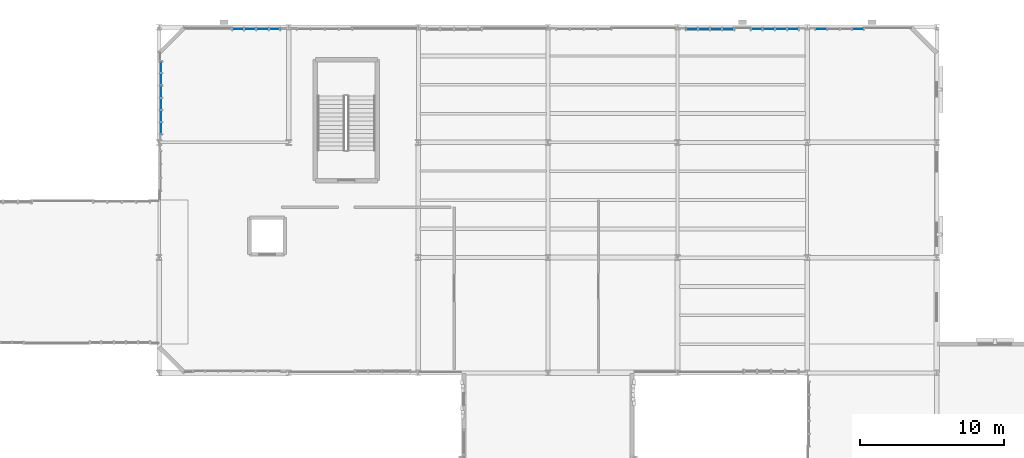
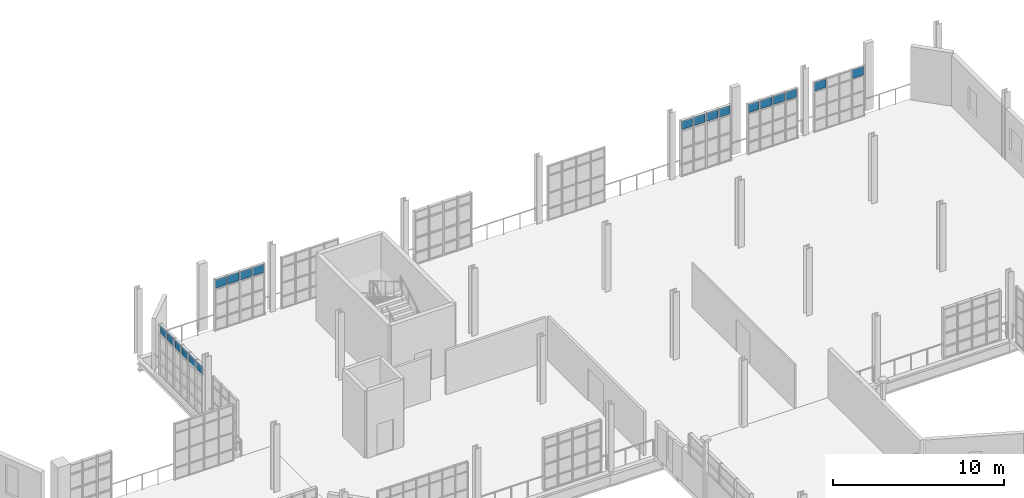
# One storey, part 96 of 122: 20 plates, 5 elements without a shape of their own.
"""IFC4 building model written with IfcOpenShell, lengths in metres."""

import ifcopenshell
import ifcopenshell.guid

model = None  # the IFC model being written
_history = None  # IfcOwnerHistory: only IFC2X3 demands one
_inside = {}  # id of a spatial element -> (the spatial element, [elements in it])
_under = {}  # id of a project, library or spatial element -> (it, [spatial elements below it])
_declared = {}  # id of a project -> (the project, [libraries it declares])
_typed = {}  # id of a type object -> (the type object, [elements of that type])
_made_of = {}  # id of a material, layer set ... -> (it, [elements and type objects made of it])


def new_model(schema):
    """Start an empty IFC model of exactly this schema.

    Asked for "IFC4X3", IfcOpenShell would pick the latest addendum, in which some entities
    have other attributes; the version numbers below select the first issue.
    IFC2X3 requires an IfcOwnerHistory on every rooted entity: one is made here for all.
    """
    global model, _history
    if schema == "IFC4X3":
        model = ifcopenshell.file(schema_version=(4, 3, 0, 0))
    else:
        model = ifcopenshell.file(schema=schema)
    _inside.clear()
    _under.clear()
    _declared.clear()
    _typed.clear()
    _made_of.clear()
    _history = None
    if model.schema == "IFC2X3":
        org = make("IfcOrganization", Name="unknown")
        user = make(
            "IfcPersonAndOrganization",
            ThePerson=make("IfcPerson", FamilyName="unknown"),
            TheOrganization=org,
        )
        app = make(
            "IfcApplication",
            ApplicationDeveloper=org,
            Version="unknown",
            ApplicationFullName="unknown",
            ApplicationIdentifier="unknown",
        )
        _history = make(
            "IfcOwnerHistory",
            OwningUser=user,
            OwningApplication=app,
            ChangeAction="ADDED",
            CreationDate=0,
        )
    return model


def make(cls, **values):
    """One entity of the class cls with the attributes given. An attribute that is None is left unset."""
    return model.create_entity(
        cls, **{name: value for name, value in values.items() if value is not None}
    )


def rooted(cls, **values):
    """An entity with a GlobalId (a new one), such as an element, a storey or a relation."""
    return make(cls, GlobalId=ifcopenshell.guid.new(), OwnerHistory=_history, **values)


def si_unit(unit_type, name, prefix=None):
    """IfcSIUnit, for example si_unit("LENGTHUNIT", "METRE", prefix="MILLI")."""
    return make("IfcSIUnit", UnitType=unit_type, Prefix=prefix, Name=name)


def assignment(units):
    """IfcUnitAssignment: the units of a project."""
    return None if units is None else make("IfcUnitAssignment", Units=units)


def point(xyz):
    """IfcCartesianPoint."""
    return None if xyz is None else make("IfcCartesianPoint", Coordinates=xyz)


def direction(xyz):
    """IfcDirection."""
    return None if xyz is None else make("IfcDirection", DirectionRatios=xyz)


def frame(location, z_axis=None, x_axis=None):
    """IfcAxis2Placement3D, a coordinate frame: its origin and axes. An axis left out is left unset."""
    return make(
        "IfcAxis2Placement3D",
        Location=point(location),
        Axis=direction(z_axis),
        RefDirection=direction(x_axis),
    )


def frame_2d(location, x_axis=None):
    """IfcAxis2Placement2D, a coordinate frame in the plane: its origin and x axis."""
    return make(
        "IfcAxis2Placement2D", Location=point(location), RefDirection=direction(x_axis)
    )


def origin():
    """The frame at (0, 0, 0) with its axes left unset."""
    return frame((0.0, 0.0, 0.0))


def origin_2d():
    """The frame at (0, 0) in the plane with its x axis left unset."""
    return frame_2d((0.0, 0.0))


def place(relative_to, where):
    """IfcLocalPlacement: puts the frame where relative to a parent placement (None: the world)."""
    return make(
        "IfcLocalPlacement", PlacementRelTo=relative_to, RelativePlacement=where
    )


def context(
    kind, dimensions, precision=None, world=None, true_north=None, identifier=None
):
    """IfcGeometricRepresentationContext, for example the 3D "Model" context."""
    return make(
        "IfcGeometricRepresentationContext",
        ContextIdentifier=identifier,
        ContextType=kind,
        CoordinateSpaceDimension=dimensions,
        Precision=precision,
        WorldCoordinateSystem=world,
        TrueNorth=true_north,
    )


def subcontext(parent, identifier, kind, view, scale=None):
    """IfcGeometricRepresentationSubContext, for example "Body" below "Model"."""
    return make(
        "IfcGeometricRepresentationSubContext",
        ContextIdentifier=identifier,
        ContextType=kind,
        ParentContext=parent,
        TargetScale=scale,
        TargetView=view,
    )


def project(units=None, contexts=None):
    """IfcProject with its units and contexts."""
    return rooted(
        "IfcProject",
        Name="project",
        RepresentationContexts=contexts,
        UnitsInContext=assignment(units),
    )


def spatial(cls, under=None, at=None, **own):
    """A site, building, storey or space (cls), placed at a placement, below another one or the project."""
    s = rooted(cls, ObjectPlacement=at, **own)
    if under is not None:
        _under.setdefault(under.id(), (under, []))[1].append(s)
    return s


def profile(cls, at=None, kind="AREA", **sizes):
    """A parametric profile (cls). Its sizes go by their IFC names, for example OverallWidth=200.0."""
    return make(cls, ProfileType=kind, Position=at, **sizes)


def rectangle(**sizes):
    """IfcRectangleProfileDef."""
    return profile("IfcRectangleProfileDef", **sizes)


def extrude(swept, where, along, depth):
    """IfcExtrudedAreaSolid: the profile swept, set in the frame where, extruded along a direction by depth."""
    return make(
        "IfcExtrudedAreaSolid",
        SweptArea=swept,
        Position=where,
        ExtrudedDirection=direction(along),
        Depth=depth,
    )


def shape(context_of_items, identifier, shape_type, items):
    """IfcShapeRepresentation: the items that make up one representation, for example the "Body"."""
    return make(
        "IfcShapeRepresentation",
        ContextOfItems=context_of_items,
        RepresentationIdentifier=identifier,
        RepresentationType=shape_type,
        Items=items,
    )


def material(Name=None, Category=None):
    """IfcMaterial."""
    return make("IfcMaterial", Name=Name, Category=Category)


def layer(
    of_material, thickness, ventilated=None, Name=None, Category=None, Priority=None
):
    """IfcMaterialLayer: one layer of a wall or slab, of a material (None: an air gap)."""
    return make(
        "IfcMaterialLayer",
        Material=of_material,
        LayerThickness=thickness,
        IsVentilated=ventilated,
        Name=Name,
        Category=Category,
        Priority=Priority,
    )


def layer_set(layers, Name=None):
    """IfcMaterialLayerSet."""
    return make("IfcMaterialLayerSet", MaterialLayers=layers, LayerSetName=Name)


def made_of(thing, what):
    """Note that an element or type object is made of a material, layer set ...; save() writes the relation."""
    if what is not None:
        _made_of.setdefault(what.id(), (what, []))[1].append(thing)
    return thing


def type_object(cls, material=None, **own):
    """A type object (cls), such as IfcWallType, which elements share."""
    return made_of(rooted(cls, **own), material)


def element(
    cls,
    number,
    at=None,
    inside=None,
    cuts=None,
    type_object=None,
    material=None,
    context=None,
    identifier="Body",
    shape_type=None,
    held_by="IfcProductDefinitionShape",
    body=None,
    shapes=None,
    **own,
):
    """One element of the class cls, such as IfcWall. Its Tag is "e" and its number.

    at: its placement. inside: the storey or other place that contains it. cuts: it is an
    opening in that element (IfcRelVoidsElement). A single representation is given by context,
    identifier, shape_type and body (its items); several are given by shapes. held_by: the class
    of the entity that holds the representations. save() writes the other relations.
    """
    e = rooted(cls, Tag="e%d" % number, ObjectPlacement=at, **own)
    if body is not None:
        shapes = [shape(context, identifier, shape_type, body)]
    if shapes is not None:
        e.Representation = make(held_by, Representations=shapes)
    if inside is not None:
        _inside.setdefault(inside.id(), (inside, []))[1].append(e)
    if cuts is not None:
        rooted(
            "IfcRelVoidsElement", RelatingBuildingElement=cuts, RelatedOpeningElement=e
        )
    if type_object is not None:
        _typed.setdefault(type_object.id(), (type_object, []))[1].append(e)
    return made_of(e, material)


def aggregate(whole, parts):
    """IfcRelAggregates: a whole, such as a stair, and the parts it consists of."""
    return rooted("IfcRelAggregates", RelatingObject=whole, RelatedObjects=parts)


def save(model, path):
    """Write the relations noted so far, then the file.

    IfcRelAggregates (storeys below a building ...), IfcRelContainedInSpatialStructure (elements
    in a storey), IfcRelDefinesByType, IfcRelAssociatesMaterial and IfcRelDeclares: one each for
    every whole, place, type object, material and project.
    """
    for whole, parts in _under.values():
        aggregate(whole, parts)
    for where, things in _inside.values():
        rooted(
            "IfcRelContainedInSpatialStructure",
            RelatedElements=things,
            RelatingStructure=where,
        )
    for kind, things in _typed.values():
        rooted("IfcRelDefinesByType", RelatedObjects=things, RelatingType=kind)
    for what, things in _made_of.values():
        rooted("IfcRelAssociatesMaterial", RelatedObjects=things, RelatingMaterial=what)
    for by, libraries in _declared.values():
        rooted("IfcRelDeclares", RelatingContext=by, RelatedDefinitions=libraries)
    model.write(path)


model = new_model("IFC4")

# Units and contexts
model_context = context("Model", 3, precision=1e-05, world=origin(), true_north=direction((0.0, 1.0)))
body_context = subcontext(model_context, "Body", "Model", "MODEL_VIEW")
ifc_project = project(units=[si_unit("LENGTHUNIT", "METRE"), si_unit("AREAUNIT", "SQUARE_METRE"), si_unit("VOLUMEUNIT", "CUBIC_METRE"), si_unit("PLANEANGLEUNIT", "RADIAN"), si_unit("MASSUNIT", "GRAM", prefix="KILO"), si_unit("THERMODYNAMICTEMPERATUREUNIT", "KELVIN"), si_unit("POWERUNIT", "WATT")], contexts=[model_context])

# Site, building, storey
site_placement = place(None, origin())
site = spatial("IfcSite", under=ifc_project, at=site_placement, CompositionType="ELEMENT")
building_placement = place(site_placement, origin())
building = spatial("IfcBuilding", under=site, at=building_placement, Name="Zelmaris Science Centre", CompositionType="ELEMENT")
storey_placement = place(building_placement, frame((0.0, 0.0, 10.800048828125)))
storey = spatial("IfcBuildingStorey", under=building, at=storey_placement, Name="L02", CompositionType="ELEMENT", Elevation=10.800048828125)

# Curtain wall, plates
ifc_material_1 = material(Name="Anodised architectural aluminium 6063-T6", Category="aluminium")
ifc_layer_1 = layer(ifc_material_1, 0.18994140625, Name="Anodised architectural aluminium 6063-T6")
ifc_layer_set_1 = layer_set([ifc_layer_1], Name="Anodised architectural aluminium 6063-T6")
curtain_wall_type_1 = type_object("IfcCurtainWallType", Name="Curtain Wall CW-01", PredefinedType="USERDEFINED", material=ifc_layer_set_1)
curtain_wall_1_placement = place(storey_placement, origin())
curtain_wall_1 = element("IfcCurtainWall", 1, at=curtain_wall_1_placement, inside=storey, type_object=curtain_wall_type_1, Name="L02 Unitised curtain wall 205", ObjectType="GLAZED CURTAIN WALL", PredefinedType="USERDEFINED")
ifc_material_2 = material(Name="Laminated hurricane-rated low-E insulated glazing", Category="glass")
ifc_layer_2 = layer(ifc_material_2, 0.031982421875, Name="Laminated hurricane-rated low-E insulated glazing")
ifc_layer_set_2 = layer_set([ifc_layer_2], Name="Laminated hurricane-rated low-E insulated glazing")
plate_type_1 = type_object("IfcPlateType", Name="Curtain Glazing Panel CWP-1 32mm", PredefinedType="CURTAIN_PANEL", material=ifc_layer_set_2)
plate_1_placement = place(storey_placement, frame((54.1201171875, 80.984619140625, 2.9267578125), z_axis=(0.0, 0.0, 1.0), x_axis=(1.9531247e-05, 0.999999999809, 0.0)))
plate_1 = element("IfcPlate", 2, at=plate_1_placement, type_object=plate_type_1, Name="CW-01 panel 1.4", PredefinedType="CURTAIN_PANEL", context=body_context, shape_type="SweptSolid", body=[
    extrude(rectangle(XDim=0.745361328125, YDim=0.031982421875, at=origin_2d()), origin(), (0.0, 0.0, 1.0), 0.592041015625),
])
plate_2_placement = place(storey_placement, frame((54.1201171875, 81.820068359375, 2.9267578125), z_axis=(0.0, 0.0, 1.0), x_axis=(1.9531247e-05, 0.999999999809, 0.0)))
plate_2 = element("IfcPlate", 3, at=plate_2_placement, type_object=plate_type_1, Name="CW-01 panel 2.4", PredefinedType="CURTAIN_PANEL", context=body_context, shape_type="SweptSolid", body=[
    extrude(rectangle(XDim=0.78125, YDim=0.031982421875, at=origin_2d()), origin(), (0.0, 0.0, 1.0), 0.592041015625),
])
plate_3_placement = place(storey_placement, frame((54.1201171875, 82.67333984375, 2.9267578125), z_axis=(0.0, 0.0, 1.0), x_axis=(1.9531247e-05, 0.999999999809, 0.0)))
plate_3 = element("IfcPlate", 4, at=plate_3_placement, type_object=plate_type_1, Name="CW-01 panel 3.4", PredefinedType="CURTAIN_PANEL", context=body_context, shape_type="SweptSolid", body=[
    extrude(rectangle(XDim=0.78125, YDim=0.031982421875, at=origin_2d()), origin(), (0.0, 0.0, 1.0), 0.592041015625),
])
plate_4_placement = place(storey_placement, frame((54.1201171875, 83.526611328125, 2.9267578125), z_axis=(0.0, 0.0, 1.0), x_axis=(1.9531247e-05, 0.999999999809, 0.0)))
plate_4 = element("IfcPlate", 5, at=plate_4_placement, type_object=plate_type_1, Name="CW-01 panel 4.4", PredefinedType="CURTAIN_PANEL", context=body_context, shape_type="SweptSolid", body=[
    extrude(rectangle(XDim=0.78125, YDim=0.031982421875, at=origin_2d()), origin(), (0.0, 0.0, 1.0), 0.592041015625),
])
plate_5_placement = place(storey_placement, frame((54.1201171875, 84.3798828125, 2.9267578125), z_axis=(0.0, 0.0, 1.0), x_axis=(1.9531247e-05, 0.999999999809, 0.0)))
plate_5 = element("IfcPlate", 6, at=plate_5_placement, type_object=plate_type_1, Name="CW-01 panel 5.4", PredefinedType="CURTAIN_PANEL", context=body_context, shape_type="SweptSolid", body=[
    extrude(rectangle(XDim=0.78125, YDim=0.031982421875, at=origin_2d()), origin(), (0.0, 0.0, 1.0), 0.592041015625),
])
plate_6_placement = place(storey_placement, frame((54.1201171875, 85.21533203125, 2.9267578125), z_axis=(0.0, 0.0, 1.0), x_axis=(1.9531247e-05, 0.999999999809, 0.0)))
plate_6 = element("IfcPlate", 7, at=plate_6_placement, type_object=plate_type_1, Name="CW-01 panel 6.4", PredefinedType="CURTAIN_PANEL", context=body_context, shape_type="SweptSolid", body=[
    extrude(rectangle(XDim=0.745361328125, YDim=0.031982421875, at=origin_2d()), origin(), (0.0, 0.0, 1.0), 0.592041015625),
])
aggregate(curtain_wall_1, [plate_1, plate_2, plate_3, plate_4, plate_5, plate_6])

curtain_wall_2_placement = place(storey_placement, origin())
curtain_wall_2 = element("IfcCurtainWall", 8, at=curtain_wall_2_placement, inside=storey, type_object=curtain_wall_type_1, Name="L02 Unitised curtain wall 213", ObjectType="GLAZED CURTAIN WALL", PredefinedType="USERDEFINED")
plate_7_placement = place(storey_placement, frame((90.985595703125, 87.8798828125, 3.302734375), z_axis=(0.0, 0.0, 1.0), x_axis=(1.0, 0.0, 0.0)))
plate_7 = element("IfcPlate", 9, at=plate_7_placement, type_object=plate_type_1, Name="CW-01 panel 1.4", PredefinedType="CURTAIN_PANEL", context=body_context, shape_type="SweptSolid", body=[
    extrude(rectangle(XDim=0.7470703125, YDim=0.031982421875, at=origin_2d()), origin(), (0.0, 0.0, 1.0), 0.592041015625),
])
plate_8_placement = place(storey_placement, frame((91.822509765625, 87.8798828125, 3.302734375), z_axis=(0.0, 0.0, 1.0), x_axis=(1.0, 0.0, 0.0)))
plate_8 = element("IfcPlate", 10, at=plate_8_placement, type_object=plate_type_1, Name="CW-01 panel 2.4", PredefinedType="CURTAIN_PANEL", context=body_context, shape_type="SweptSolid", body=[
    extrude(rectangle(XDim=0.782958984375, YDim=0.031982421875, at=origin_2d()), origin(), (0.0, 0.0, 1.0), 0.592041015625),
])
plate_9_placement = place(storey_placement, frame((92.677490234375, 87.8798828125, 3.302734375), z_axis=(0.0, 0.0, 1.0), x_axis=(1.0, 0.0, 0.0)))
plate_9 = element("IfcPlate", 11, at=plate_9_placement, type_object=plate_type_1, Name="CW-01 panel 3.4", PredefinedType="CURTAIN_PANEL", context=body_context, shape_type="SweptSolid", body=[
    extrude(rectangle(XDim=0.782958984375, YDim=0.031982421875, at=origin_2d()), origin(), (0.0, 0.0, 1.0), 0.592041015625),
])
plate_10_placement = place(storey_placement, frame((93.514404296875, 87.8798828125, 3.302734375), z_axis=(0.0, 0.0, 1.0), x_axis=(1.0, 0.0, 0.0)))
plate_10 = element("IfcPlate", 12, at=plate_10_placement, type_object=plate_type_1, Name="CW-01 panel 4.4", PredefinedType="CURTAIN_PANEL", context=body_context, shape_type="SweptSolid", body=[
    extrude(rectangle(XDim=0.7470703125, YDim=0.031982421875, at=origin_2d()), origin(), (0.0, 0.0, 1.0), 0.592041015625),
])
aggregate(curtain_wall_2, [plate_7, plate_8, plate_9, plate_10])

ifc_layer_3 = layer(ifc_material_1, 0.199951171875, Name="Anodised architectural aluminium 6063-T6")
ifc_layer_set_3 = layer_set([ifc_layer_3], Name="Anodised architectural aluminium 6063-T6")
curtain_wall_type_2 = type_object("IfcCurtainWallType", Name="Curtain Wall CW-02", PredefinedType="USERDEFINED", material=ifc_layer_set_3)
curtain_wall_3_placement = place(storey_placement, origin())
curtain_wall_3 = element("IfcCurtainWall", 13, at=curtain_wall_3_placement, inside=storey, type_object=curtain_wall_type_2, Name="L02 Unitised curtain wall 206", ObjectType="GLAZED CURTAIN WALL", PredefinedType="USERDEFINED")
ifc_layer_4 = layer(ifc_material_2, 0.028076171875, Name="Laminated hurricane-rated low-E insulated glazing")
ifc_layer_set_4 = layer_set([ifc_layer_4], Name="Laminated hurricane-rated low-E insulated glazing")
plate_type_2 = type_object("IfcPlateType", Name="Curtain Glazing Panel CWP-2 28mm", PredefinedType="CURTAIN_PANEL", material=ifc_layer_set_4)
plate_11_placement = place(storey_placement, frame((59.484130859375, 87.8798828125, 2.997314453125), z_axis=(0.0, 0.0, 1.0), x_axis=(1.0, 0.0, 0.0)))
plate_11 = element("IfcPlate", 14, at=plate_11_placement, type_object=plate_type_2, Name="CW-02 panel 1.4", PredefinedType="CURTAIN_PANEL", context=body_context, shape_type="SweptSolid", body=[
    extrude(rectangle(XDim=0.75439453125, YDim=0.028076171875, at=origin_2d()), origin(), (0.0, 0.0, 1.0), 0.599609375),
])
plate_12_placement = place(storey_placement, frame((60.322509765625, 87.8798828125, 2.997314453125), z_axis=(0.0, 0.0, 1.0), x_axis=(1.0, 0.0, 0.0)))
plate_12 = element("IfcPlate", 15, at=plate_12_placement, type_object=plate_type_2, Name="CW-02 panel 2.4", PredefinedType="CURTAIN_PANEL", context=body_context, shape_type="SweptSolid", body=[
    extrude(rectangle(XDim=0.7880859375, YDim=0.028076171875, at=origin_2d()), origin(), (0.0, 0.0, 1.0), 0.599609375),
])
plate_13_placement = place(storey_placement, frame((61.177490234375, 87.8798828125, 2.997314453125), z_axis=(0.0, 0.0, 1.0), x_axis=(1.0, 0.0, 0.0)))
plate_13 = element("IfcPlate", 16, at=plate_13_placement, type_object=plate_type_2, Name="CW-02 panel 3.4", PredefinedType="CURTAIN_PANEL", context=body_context, shape_type="SweptSolid", body=[
    extrude(rectangle(XDim=0.7880859375, YDim=0.028076171875, at=origin_2d()), origin(), (0.0, 0.0, 1.0), 0.599609375),
])
plate_14_placement = place(storey_placement, frame((62.015869140625, 87.8798828125, 2.997314453125), z_axis=(0.0, 0.0, 1.0), x_axis=(1.0, 0.0, 0.0)))
plate_14 = element("IfcPlate", 17, at=plate_14_placement, type_object=plate_type_2, Name="CW-02 panel 4.4", PredefinedType="CURTAIN_PANEL", context=body_context, shape_type="SweptSolid", body=[
    extrude(rectangle(XDim=0.75439453125, YDim=0.028076171875, at=origin_2d()), origin(), (0.0, 0.0, 1.0), 0.599609375),
])
aggregate(curtain_wall_3, [plate_11, plate_12, plate_13, plate_14])

curtain_wall_4_placement = place(storey_placement, origin())
curtain_wall_4 = element("IfcCurtainWall", 18, at=curtain_wall_4_placement, inside=storey, type_object=curtain_wall_type_2, Name="L02 Unitised curtain wall 214", ObjectType="GLAZED CURTAIN WALL", PredefinedType="USERDEFINED")
plate_15_placement = place(storey_placement, frame((95.484130859375, 87.8798828125, 2.91943359375), z_axis=(0.0, 0.0, 1.0), x_axis=(1.0, 0.0, 0.0)))
plate_15 = element("IfcPlate", 19, at=plate_15_placement, type_object=plate_type_2, Name="CW-02 panel 1.4", PredefinedType="CURTAIN_PANEL", context=body_context, shape_type="SweptSolid", body=[
    extrude(rectangle(XDim=0.75439453125, YDim=0.028076171875, at=origin_2d()), origin(), (0.0, 0.0, 1.0), 0.599609375),
])
plate_16_placement = place(storey_placement, frame((96.322509765625, 87.8798828125, 2.91943359375), z_axis=(0.0, 0.0, 1.0), x_axis=(1.0, 0.0, 0.0)))
plate_16 = element("IfcPlate", 20, at=plate_16_placement, type_object=plate_type_2, Name="CW-02 panel 2.4", PredefinedType="CURTAIN_PANEL", context=body_context, shape_type="SweptSolid", body=[
    extrude(rectangle(XDim=0.7880859375, YDim=0.028076171875, at=origin_2d()), origin(), (0.0, 0.0, 1.0), 0.599609375),
])
plate_17_placement = place(storey_placement, frame((97.177490234375, 87.8798828125, 2.91943359375), z_axis=(0.0, 0.0, 1.0), x_axis=(1.0, 0.0, 0.0)))
plate_17 = element("IfcPlate", 21, at=plate_17_placement, type_object=plate_type_2, Name="CW-02 panel 3.4", PredefinedType="CURTAIN_PANEL", context=body_context, shape_type="SweptSolid", body=[
    extrude(rectangle(XDim=0.7880859375, YDim=0.028076171875, at=origin_2d()), origin(), (0.0, 0.0, 1.0), 0.599609375),
])
plate_18_placement = place(storey_placement, frame((98.015869140625, 87.8798828125, 2.91943359375), z_axis=(0.0, 0.0, 1.0), x_axis=(1.0, 0.0, 0.0)))
plate_18 = element("IfcPlate", 22, at=plate_18_placement, type_object=plate_type_2, Name="CW-02 panel 4.4", PredefinedType="CURTAIN_PANEL", context=body_context, shape_type="SweptSolid", body=[
    extrude(rectangle(XDim=0.75439453125, YDim=0.028076171875, at=origin_2d()), origin(), (0.0, 0.0, 1.0), 0.599609375),
])
aggregate(curtain_wall_4, [plate_15, plate_16, plate_17, plate_18])

ifc_layer_5 = layer(ifc_material_1, 0.2099609375, Name="Anodised architectural aluminium 6063-T6")
ifc_layer_set_5 = layer_set([ifc_layer_5], Name="Anodised architectural aluminium 6063-T6")
curtain_wall_type_3 = type_object("IfcCurtainWallType", Name="Curtain Wall CW-03", PredefinedType="USERDEFINED", material=ifc_layer_set_5)
curtain_wall_5_placement = place(storey_placement, origin())
curtain_wall_5 = element("IfcCurtainWall", 23, at=curtain_wall_5_placement, inside=storey, type_object=curtain_wall_type_3, Name="L02 Unitised curtain wall 215", ObjectType="GLAZED CURTAIN WALL", PredefinedType="USERDEFINED")
ifc_layer_6 = layer(ifc_material_2, 0.02587890625, Name="Laminated hurricane-rated low-E insulated glazing")
ifc_layer_set_6 = layer_set([ifc_layer_6], Name="Laminated hurricane-rated low-E insulated glazing")
plate_type_3 = type_object("IfcPlateType", Name="Curtain Glazing Panel CWP-3 26mm", PredefinedType="CURTAIN_PANEL", material=ifc_layer_set_6)
plate_19_placement = place(storey_placement, frame((99.981689453125, 87.8798828125, 2.91455078125), z_axis=(0.0, 0.0, 1.0), x_axis=(1.0, 0.0, 0.0)))
plate_19 = element("IfcPlate", 24, at=plate_19_placement, type_object=plate_type_3, Name="CW-03 panel 1.4", PredefinedType="CURTAIN_PANEL", context=body_context, shape_type="SweptSolid", body=[
    extrude(rectangle(XDim=0.76953125, YDim=0.02587890625, at=origin_2d()), origin(), (0.0, 0.0, 1.0), 0.614501953125),
])
plate_20_placement = place(storey_placement, frame((102.518310546875, 87.8798828125, 2.91455078125), z_axis=(0.0, 0.0, 1.0), x_axis=(1.0, 0.0, 0.0)))
plate_20 = element("IfcPlate", 25, at=plate_20_placement, type_object=plate_type_3, Name="CW-03 panel 4.4", PredefinedType="CURTAIN_PANEL", context=body_context, shape_type="SweptSolid", body=[
    extrude(rectangle(XDim=0.76953125, YDim=0.02587890625, at=origin_2d()), origin(), (0.0, 0.0, 1.0), 0.614501953125),
])
aggregate(curtain_wall_5, [plate_19, plate_20])

save(model, "model.ifc")
